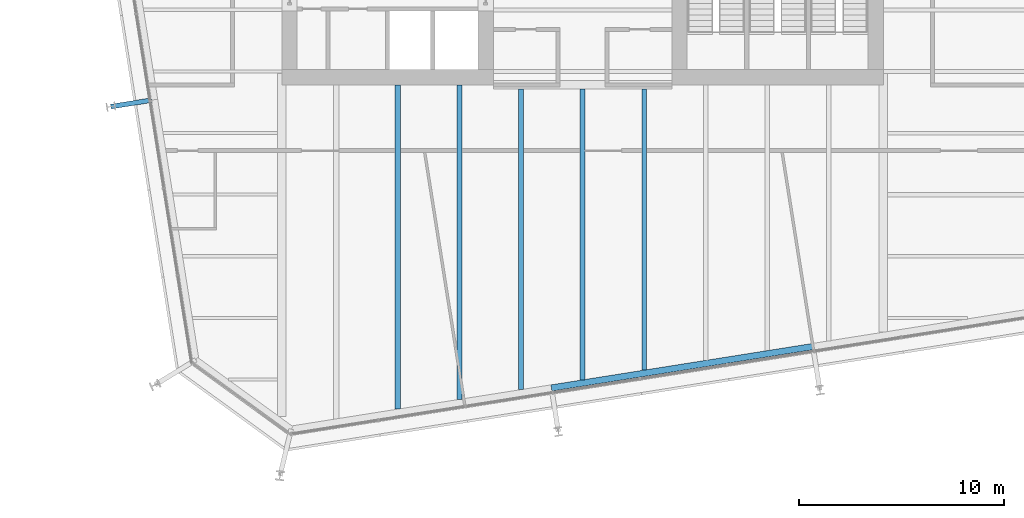
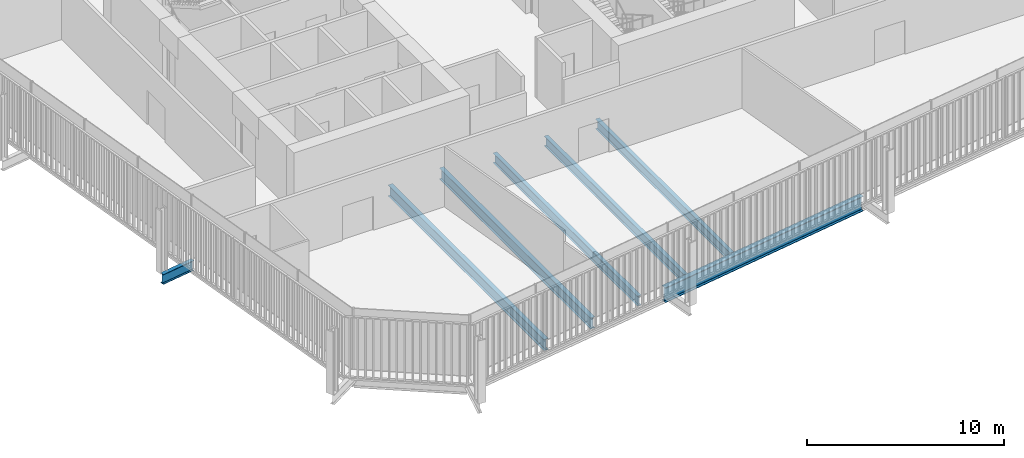
# One storey, part 3 of 21: 7 beams.
"""IFC4 building model written with IfcOpenShell, lengths in metres."""

from ifc_helpers import new_model, si_unit, direction, frame, origin, origin_2d, place, context, subcontext, project, spatial, i_section, extrude, material, material_profile, profile_set, type_object, element, save


model = new_model("IFC4")

# Units and contexts
model_context = context("Model", 3, precision=1e-05, world=origin(), true_north=direction((0.0, 1.0)))
body_context = subcontext(model_context, "Body", "Model", "MODEL_VIEW")
ifc_project = project(units=[si_unit("LENGTHUNIT", "METRE"), si_unit("AREAUNIT", "SQUARE_METRE"), si_unit("VOLUMEUNIT", "CUBIC_METRE"), si_unit("PLANEANGLEUNIT", "RADIAN"), si_unit("MASSUNIT", "GRAM", prefix="KILO")], contexts=[model_context])

# Site, building, storey
site_placement = place(None, origin())
site = spatial("IfcSite", under=ifc_project, at=site_placement, CompositionType="ELEMENT")
building_placement = place(site_placement, origin())
building = spatial("IfcBuilding", under=site, at=building_placement, Name="Millrace Tower", CompositionType="ELEMENT")
storey_placement = place(building_placement, frame((0.0, 0.0, 133.39990234375)))
storey = spatial("IfcBuildingStorey", under=building, at=storey_placement, Name="L29", CompositionType="ELEMENT", Elevation=133.39990234375)

# Beams
ifc_material_1 = material(Name="Steel ASTM A992 Grade 50", Category="steel")
ifc_material_profile_1 = material_profile(ifc_material_1, i_section(OverallWidth=0.228271484375, OverallDepth=0.607177734375, WebThickness=0.01123046875, FlangeThickness=0.017333984375, FilletRadius=0.0126953125, at=origin_2d()))
ifc_profile_set_1 = profile_set([ifc_material_profile_1], Name="Steel ASTM A992 Grade 50")
beam_type_1 = type_object("IfcBeamType", Name="Floor beam W24x76", PredefinedType="JOIST", material=ifc_profile_set_1)
beam_1_placement = place(storey_placement, frame((-3.0, -24.4970703125, -0.46337890625), z_axis=(0.0, 1.0, 0.0), x_axis=(-1.0, 0.0, 0.0)))
element("IfcBeam", 1, at=beam_1_placement, inside=storey, type_object=beam_type_1, Name="BM-C-L29-S1-S046", PredefinedType="JOIST", context=body_context, shape_type="SweptSolid", body=[
    extrude(i_section(OverallWidth=0.228271484375, OverallDepth=0.607177734375, WebThickness=0.01123046875, FlangeThickness=0.017333984375, FilletRadius=0.0126953125, at=origin_2d()), origin(), (0.0, 0.0, 1.0), 14.637451171875),
])
beam_2_placement = place(storey_placement, frame((0.0, -24.021728515625, -0.46337890625), z_axis=(0.0, 1.0, 0.0), x_axis=(-1.0, 0.0, 0.0)))
element("IfcBeam", 2, at=beam_2_placement, inside=storey, type_object=beam_type_1, Name="BM-C-L29-S1-S048", PredefinedType="JOIST", context=body_context, shape_type="SweptSolid", body=[
    extrude(i_section(OverallWidth=0.228271484375, OverallDepth=0.607177734375, WebThickness=0.01123046875, FlangeThickness=0.017333984375, FilletRadius=0.0126953125, at=origin_2d()), origin(), (0.0, 0.0, 1.0), 14.162109375),
])
beam_3_placement = place(storey_placement, frame((3.0, -23.546630859375, -0.46337890625), z_axis=(0.0, 1.0, 0.0), x_axis=(-1.0, 0.0, 0.0)))
element("IfcBeam", 3, at=beam_3_placement, inside=storey, type_object=beam_type_1, Name="BM-C-L29-S1-S050", PredefinedType="JOIST", context=body_context, shape_type="SweptSolid", body=[
    extrude(i_section(OverallWidth=0.228271484375, OverallDepth=0.607177734375, WebThickness=0.01123046875, FlangeThickness=0.017333984375, FilletRadius=0.0126953125, at=origin_2d()), origin(), (0.0, 0.0, 1.0), 13.68701171875),
])
ifc_material_2 = material(Name="Steel ASTM A992 Grade 50", Category="steel")
ifc_material_profile_2 = material_profile(ifc_material_2, i_section(OverallWidth=0.256591796875, OverallDepth=0.693359375, WebThickness=0.014404296875, FlangeThickness=0.023681640625, FilletRadius=0.01513671875, at=origin_2d()))
ifc_profile_set_2 = profile_set([ifc_material_profile_2], Name="Steel ASTM A992 Grade 50")
beam_type_2 = type_object("IfcBeamType", Name="Floor beam W27x114", PredefinedType="JOIST", material=ifc_profile_set_2)
beam_4_placement = place(storey_placement, frame((-9.0, -25.447265625, -0.506591796875), z_axis=(0.0, 1.0, 0.0), x_axis=(-1.0, 0.0, 0.0)))
element("IfcBeam", 4, at=beam_4_placement, inside=storey, type_object=beam_type_2, Name="BM-C-L29-S1-S042", PredefinedType="JOIST", context=body_context, shape_type="SweptSolid", body=[
    extrude(i_section(OverallWidth=0.256591796875, OverallDepth=0.693359375, WebThickness=0.014404296875, FlangeThickness=0.023681640625, FilletRadius=0.01513671875, at=origin_2d()), origin(), (0.0, 0.0, 1.0), 15.79736328125),
])
beam_5_placement = place(storey_placement, frame((-6.0, -24.97216796875, -0.506591796875), z_axis=(0.0, 1.0, 0.0), x_axis=(-1.0, 0.0, 0.0)))
element("IfcBeam", 5, at=beam_5_placement, inside=storey, type_object=beam_type_2, Name="BM-C-L29-S1-S044", PredefinedType="JOIST", context=body_context, shape_type="SweptSolid", body=[
    extrude(i_section(OverallWidth=0.256591796875, OverallDepth=0.693359375, WebThickness=0.014404296875, FlangeThickness=0.023681640625, FilletRadius=0.01513671875, at=origin_2d()), origin(), (0.0, 0.0, 1.0), 15.322265625),
])
ifc_material_3 = material(Name="Steel ASTM A992 Grade 50", Category="steel")
ifc_material_profile_3 = material_profile(ifc_material_3, i_section(OverallWidth=0.23046875, OverallDepth=0.6171875, WebThickness=0.01318359375, FlangeThickness=0.022216796875, FilletRadius=0.012939453125, at=origin_2d()))
ifc_profile_set_3 = profile_set([ifc_material_profile_3], Name="Steel ASTM A992 Grade 50")
beam_type_3 = type_object("IfcBeamType", Name="Link beam W24x94", PredefinedType="BEAM", material=ifc_profile_set_3)
beam_6_placement = place(storey_placement, frame((-21.001708984375, -10.396728515625, -0.468505859375), z_axis=(-0.987678691416, -0.156495375404, 0.0), x_axis=(0.156495375404, -0.987678691416, 0.0)))
element("IfcBeam", 6, at=beam_6_placement, inside=storey, type_object=beam_type_3, Name="LNK-C-L29-S1-02", PredefinedType="BEAM", context=body_context, shape_type="SweptSolid", body=[
    extrude(i_section(OverallWidth=0.23046875, OverallDepth=0.6171875, WebThickness=0.01318359375, FlangeThickness=0.022216796875, FilletRadius=0.012939453125, at=origin_2d()), origin(), (0.0, 0.0, 1.0), 2.0),
])
ifc_material_4 = material(Name="Steel ASTM A992 Grade 50", Category="steel")
ifc_material_profile_4 = material_profile(ifc_material_4, i_section(OverallWidth=0.307373046875, OverallDepth=0.927001953125, WebThickness=0.01953125, FlangeThickness=0.031982421875, FilletRadius=0.01904296875, at=origin_2d()))
ifc_profile_set_4 = profile_set([ifc_material_profile_4], Name="Steel ASTM A992 Grade 50")
beam_type_4 = type_object("IfcBeamType", Name="Ring beam medium span W36x194", PredefinedType="SPANDREL", material=ifc_profile_set_4)
beam_7_placement = place(storey_placement, frame((11.22265625, -22.39990234375, -0.62353515625), z_axis=(-0.987687196578, -0.156441687909, 0.0), x_axis=(0.156441687909, -0.987687196578, 0.0)))
element("IfcBeam", 7, at=beam_7_placement, inside=storey, type_object=beam_type_4, Name="RNG-C-L29-S1-14", PredefinedType="SPANDREL", context=body_context, shape_type="SweptSolid", body=[
    extrude(i_section(OverallWidth=0.307373046875, OverallDepth=0.927001953125, WebThickness=0.01953125, FlangeThickness=0.031982421875, FilletRadius=0.01904296875, at=origin_2d()), origin(), (0.0, 0.0, 1.0), 12.89990234375),
])

save(model, "model.ifc")
